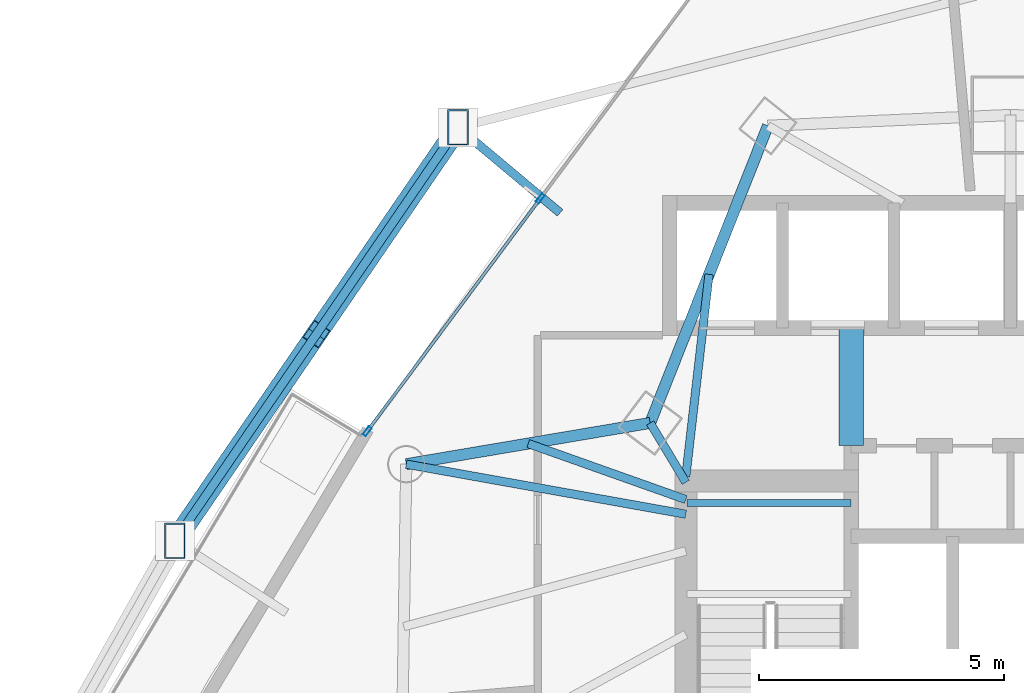
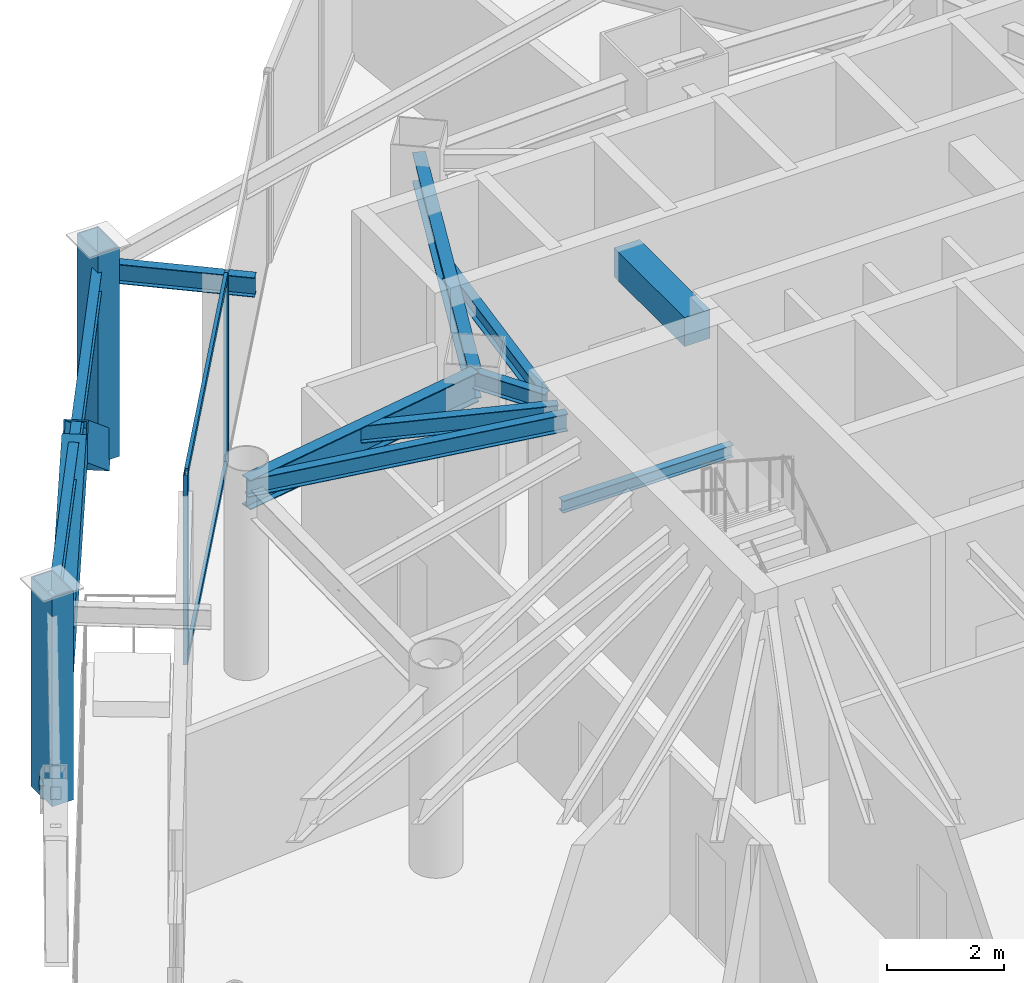
# One storey, part 19 of 33: 10 beams, 8 members, 1 element without a shape of its own.
"""IFC4 building model written with IfcOpenShell, lengths in metres."""

from ifc_helpers import new_model, si_unit, direction, frame, origin, origin_2d, place, context, subcontext, project, spatial, rectangle, hollow_rectangle, i_section, extrude, material, layer, layer_set, material_profile, profile_set, type_object, element, aggregate, save


model = new_model("IFC4")

# Units and contexts
model_context = context("Model", 3, precision=1e-05, world=origin(), true_north=direction((0.0, 1.0)))
body_context = subcontext(model_context, "Body", "Model", "MODEL_VIEW")
ifc_project = project(units=[si_unit("LENGTHUNIT", "METRE"), si_unit("AREAUNIT", "SQUARE_METRE"), si_unit("VOLUMEUNIT", "CUBIC_METRE"), si_unit("PLANEANGLEUNIT", "RADIAN"), si_unit("MASSUNIT", "GRAM", prefix="KILO")], contexts=[model_context])

# Site, building, storey
site_placement = place(None, origin())
site = spatial("IfcSite", under=ifc_project, at=site_placement, CompositionType="ELEMENT")
building_placement = place(site_placement, origin())
building = spatial("IfcBuilding", under=site, at=building_placement, Name="Orvanel Arch Residences", CompositionType="ELEMENT")
storey_placement = place(building_placement, frame((0.0, 0.0, 97.25)))
storey = spatial("IfcBuildingStorey", under=building, at=storey_placement, Name="L27", CompositionType="ELEMENT", Elevation=97.25)

# Beams
ifc_material_1 = material(Name="Structural steel AS/NZS 3679.1 Grade 300 (300 MPa)", Category="steel")
ifc_material_profile_1 = material_profile(ifc_material_1, i_section(OverallWidth=0.14599609375, OverallDepth=0.251953125, WebThickness=0.006103515625, FlangeThickness=0.008544921875, at=origin_2d()), Name="250UB31.4")
ifc_profile_set_1 = profile_set([ifc_material_profile_1], Name="Structural steel AS/NZS 3679.1 Grade 300 (300 MPa)")
beam_type_1 = type_object("IfcBeamType", Name="BJ-250UB", PredefinedType="JOIST", material=ifc_profile_set_1)
beam_1_placement = place(storey_placement, frame((26.39990234375, 33.47998046875, 1.84912109375), z_axis=(1.0, 0.0, 0.0), x_axis=(0.0, 1.0, 0.0)))
element("IfcBeam", 1, at=beam_1_placement, inside=storey, type_object=beam_type_1, Name="L27 ST-1 Half-Landing Support Beam 1.2", PredefinedType="JOIST", context=body_context, shape_type="SweptSolid", body=[
    extrude(i_section(OverallWidth=0.14599609375, OverallDepth=0.251953125, WebThickness=0.006103515625, FlangeThickness=0.008544921875, at=origin_2d()), origin(), (0.0, 0.0, 1.0), 3.35009765625),
])
ifc_material_profile_2 = material_profile(ifc_material_1, i_section(OverallWidth=0.1708984375, OverallDepth=0.35595703125, WebThickness=0.00732421875, FlangeThickness=0.011474609375, at=origin_2d()), Name="360UB50.7")
ifc_profile_set_2 = profile_set([ifc_material_profile_2], Name="Structural steel AS/NZS 3679.1 Grade 300 (300 MPa)")
beam_type_2 = type_object("IfcBeamType", Name="BJ-360UB", PredefinedType="JOIST", material=ifc_profile_set_2)
beam_2_placement = place(storey_placement, frame((26.375, 33.89990234375, 3.77197265625), z_axis=(-0.514064138778, 0.857751748015, 0.0), x_axis=(-0.857751748015, -0.514064138778, 0.0)))
element("IfcBeam", 2, at=beam_2_placement, inside=storey, type_object=beam_type_2, Name="L27 NNW Wing Floor Joist", PredefinedType="JOIST", context=body_context, shape_type="SweptSolid", body=[
    extrude(i_section(OverallWidth=0.1708984375, OverallDepth=0.35595703125, WebThickness=0.00732421875, FlangeThickness=0.011474609375, at=origin_2d()), origin(), (0.0, 0.0, 1.0), 1.414306640625),
])
beam_3_placement = place(storey_placement, frame((26.375, 34.02001953125, 3.77197265625), z_axis=(0.114186670431, 0.993459311847, 0.0), x_axis=(-0.993459311847, 0.114186670431, 0.0)))
element("IfcBeam", 3, at=beam_3_placement, inside=storey, type_object=beam_type_2, Name="L27 NNW2 Wing Floor Joist", PredefinedType="JOIST", context=body_context, shape_type="SweptSolid", body=[
    extrude(i_section(OverallWidth=0.1708984375, OverallDepth=0.35595703125, WebThickness=0.00732421875, FlangeThickness=0.011474609375, at=origin_2d()), origin(), (0.0, 0.0, 1.0), 4.152099609375),
])
beam_4_placement = place(storey_placement, frame((26.375, 33.25, 3.77197265625), z_axis=(-0.984360855662, 0.176163860766, 0.0), x_axis=(-0.176163860766, -0.984360855662, 0.0)))
element("IfcBeam", 4, at=beam_4_placement, inside=storey, type_object=beam_type_2, Name="L27 LW Wing Floor Joist", PredefinedType="JOIST", context=body_context, shape_type="SweptSolid", body=[
    extrude(i_section(OverallWidth=0.1708984375, OverallDepth=0.35595703125, WebThickness=0.00732421875, FlangeThickness=0.011474609375, at=origin_2d()), origin(), (0.0, 0.0, 1.0), 5.795654296875),
])
beam_5_placement = place(storey_placement, frame((26.375, 33.550048828125, 3.77197265625), z_axis=(-0.942366638377, 0.334582006201, 0.0), x_axis=(-0.334582006201, -0.942366638377, 0.0)))
element("IfcBeam", 5, at=beam_5_placement, inside=storey, type_object=beam_type_2, Name="L27 JADD3 Wing Floor Joist", PredefinedType="JOIST", context=body_context, shape_type="SweptSolid", body=[
    extrude(i_section(OverallWidth=0.1708984375, OverallDepth=0.35595703125, WebThickness=0.00732421875, FlangeThickness=0.011474609375, at=origin_2d()), origin(), (0.0, 0.0, 1.0), 3.412841796875),
])

# Members
ifc_material_2 = material(Name="Structural steel AS/NZS 3678 Grade 350", Category="steel")
ifc_material_profile_3 = material_profile(ifc_material_2, hollow_rectangle(XDim=0.419921875, YDim=0.719970703125, WallThickness=0.02490234375, at=origin_2d()), Name="RHS720x420x25")
ifc_profile_set_3 = profile_set([ifc_material_profile_3], Name="Structural steel AS/NZS 3678 Grade 350")
member_type_1 = type_object("IfcMemberType", Name="BR-720RHS-EXT", PredefinedType="BRACE", material=ifc_profile_set_3)
member_1_placement = place(storey_placement, frame((21.72607421875, 41.14501953125, 0.0), z_axis=(-0.455748317639, -0.665521943309, 0.591078686761), x_axis=(0.825081172157, -0.565014211637, 0.0)))
element("IfcMember", 6, at=member_1_placement, inside=storey, type_object=member_type_1, Name="L27 Exterior Sky-Garden V-Frame Chevron F1B1.1", PredefinedType="BRACE", context=body_context, shape_type="SweptSolid", body=[
    extrude(hollow_rectangle(XDim=0.419921875, YDim=0.719970703125, WallThickness=0.02490234375, at=origin_2d()), origin(), (0.0, 0.0, 1.0), 6.33935546875),
])
member_2_placement = place(storey_placement, frame((15.948974609375, 32.70703125, 0.0), z_axis=(0.455595734426, 0.665580343783, 0.591130554736), x_axis=(-0.825192460574, 0.56485166461, 0.0)))
element("IfcMember", 7, at=member_2_placement, inside=storey, type_object=member_type_1, Name="L27 Exterior Sky-Garden V-Frame Chevron F1B1.2", PredefinedType="BRACE", context=body_context, shape_type="SweptSolid", body=[
    extrude(hollow_rectangle(XDim=0.419921875, YDim=0.719970703125, WallThickness=0.02490234375, at=origin_2d()), origin(), (0.0, 0.0, 1.0), 6.3388671875),
])

# Beam
ifc_material_3 = material(Name="Concrete S65 (65 MPa)", Category="concrete")
ifc_material_profile_4 = material_profile(ifc_material_3, rectangle(XDim=0.5, YDim=0.60009765625, at=origin_2d()), Name="RC500x600")
ifc_profile_set_4 = profile_set([ifc_material_profile_4], Name="Concrete S65 (65 MPa)")
beam_type_3 = type_object("IfcBeamType", Name="CB-500x600", PredefinedType="LINTEL", material=ifc_profile_set_4)
beam_6_placement = place(storey_placement, frame((29.75, 34.64990234375, 3.64990234375), z_axis=(0.0, 1.0, 0.0), x_axis=(-1.0, 0.0, 0.0)))
element("IfcBeam", 8, at=beam_6_placement, inside=storey, type_object=beam_type_3, Name="L27 West Core Lobby Coupling Lintel Beam", PredefinedType="LINTEL", context=body_context, shape_type="SweptSolid", body=[
    extrude(rectangle(XDim=0.5, YDim=0.60009765625, at=origin_2d()), origin(), (0.0, 0.0, 1.0), 2.400146484375),
])

# Members
ifc_material_profile_5 = material_profile(ifc_material_2, hollow_rectangle(XDim=0.419921875, YDim=0.719970703125, WallThickness=0.02490234375, at=origin_2d()), Name="RHS720x420x25")
ifc_profile_set_5 = profile_set([ifc_material_profile_5], Name="Structural steel AS/NZS 3678 Grade 350")
member_type_2 = type_object("IfcMemberType", Name="CH-720RHS-EXT", PredefinedType="CHORD", material=ifc_profile_set_5)
for number, where, z_axis, x_axis, name in (
    (9, (21.72607421875, 41.14501953125, 0.0), (0.0, 0.0, 1.0), (1.0, 0.0, 0.0), "L27 Outer Perimeter Frame Post 01"),
    (10, (15.948974609375, 32.70703125, 0.0), (0.0, 0.0, 1.0), (1.0, 0.0, 0.0), "L27 Outer Perimeter Frame Post 02"),
):
    element("IfcMember", number, at=place(storey_placement, frame(where, z_axis=z_axis, x_axis=x_axis)), inside=storey, type_object=member_type_2, Name=name, PredefinedType="CHORD", context=body_context, shape_type="SweptSolid", body=[
        extrude(hollow_rectangle(XDim=0.419921875, YDim=0.719970703125, WallThickness=0.02490234375, at=origin_2d()), origin(), (0.0, 0.0, 1.0), 4.35009765625),
    ])

# Curtain wall, members
ifc_material_4 = material(Name="Bronze-anodised aluminium AA6063-T6", Category="aluminium")
ifc_layer = layer(ifc_material_4, 0.195068359375)
ifc_layer_set = layer_set([ifc_layer], Name="Bronze-anodised aluminium AA6063-T6")
curtain_wall_type = type_object("IfcCurtainWallType", Name="CW6-COM-SYS", PredefinedType="NOTDEFINED", material=ifc_layer_set)
curtain_wall_placement = place(storey_placement, origin())
curtain_wall = element("IfcCurtainWall", 11, at=curtain_wall_placement, inside=storey, type_object=curtain_wall_type, Name="L27 CW6-COM-SYS Unitised Curtain Wall", PredefinedType="NOTDEFINED")
ifc_material_profile_6 = material_profile(ifc_material_4, hollow_rectangle(XDim=0.074951171875, YDim=0.199951171875, WallThickness=0.0048828125, at=origin_2d()), Name="ALU200x75x5")
ifc_profile_set_6 = profile_set([ifc_material_profile_6], Name="Bronze-anodised aluminium AA6063-T6")
member_type_3 = type_object("IfcMemberType", Name="MUL-200x75", PredefinedType="MULLION", material=ifc_profile_set_6)
member_3_placement = place(storey_placement, frame((23.404541015625, 39.69189453125, 0.0), z_axis=(0.0, 0.0, 1.0), x_axis=(0.802490155261, -0.596665359065, 0.0)))
member_3 = element("IfcMember", 12, at=member_3_placement, type_object=member_type_3, Name="CW-S6 mullion 2", PredefinedType="MULLION", context=body_context, shape_type="SweptSolid", body=[
    extrude(hollow_rectangle(XDim=0.074951171875, YDim=0.199951171875, WallThickness=0.0048828125, at=origin_2d()), origin(), (0.0, 0.0, 1.0), 3.949951171875),
])
member_4_placement = place(storey_placement, frame((19.871337890625, 34.940185546875, 0.0), z_axis=(0.0, 0.0, 1.0), x_axis=(0.802490155261, -0.596665359065, 0.0)))
member_4 = element("IfcMember", 13, at=member_4_placement, type_object=member_type_3, Name="CW-S6 mullion 3", PredefinedType="MULLION", context=body_context, shape_type="SweptSolid", body=[
    extrude(hollow_rectangle(XDim=0.074951171875, YDim=0.199951171875, WallThickness=0.0048828125, at=origin_2d()), origin(), (0.0, 0.0, 1.0), 3.949951171875),
])

# Beams
ifc_material_profile_7 = material_profile(ifc_material_1, i_section(OverallWidth=0.177978515625, OverallDepth=0.406005859375, WebThickness=0.0078125, FlangeThickness=0.0126953125, at=origin_2d()), Name="410UB59.7")
ifc_profile_set_7 = profile_set([ifc_material_profile_7], Name="Structural steel AS/NZS 3679.1 Grade 300 (300 MPa)")
beam_type_4 = type_object("IfcBeamType", Name="OB-410UB-EXT", PredefinedType="SPANDREL", material=ifc_profile_set_7)
beam_7_placement = place(storey_placement, frame((23.80908203125, 39.40087890625, 3.7470703125), z_axis=(-0.766716525589, 0.641985801548, 0.0), x_axis=(-0.641985801548, -0.766716525589, 0.0)))
element("IfcBeam", 14, at=beam_7_placement, inside=storey, type_object=beam_type_4, Name="L27 Outer Frame Radial Tie Beam 01", PredefinedType="SPANDREL", context=body_context, shape_type="SweptSolid", body=[
    extrude(i_section(OverallWidth=0.177978515625, OverallDepth=0.406005859375, WebThickness=0.0078125, FlangeThickness=0.0126953125, at=origin_2d()), origin(), (0.0, 0.0, 1.0), 2.716796875),
])
beam_8_placement = place(storey_placement, frame((21.72607421875, 41.14501953125, 3.7470703125), z_axis=(-0.564932946345, -0.825136816615, 0.0), x_axis=(0.825136816615, -0.564932946345, 0.0)))
element("IfcBeam", 15, at=beam_8_placement, inside=storey, type_object=beam_type_4, Name="L27 Outer Perimeter Floor Ring Beam 01", PredefinedType="SPANDREL", context=body_context, shape_type="SweptSolid", body=[
    extrude(i_section(OverallWidth=0.177978515625, OverallDepth=0.406005859375, WebThickness=0.0078125, FlangeThickness=0.0126953125, at=origin_2d()), origin(), (0.0, 0.0, 1.0), 10.22607421875),
])
ifc_material_profile_8 = material_profile(ifc_material_1, i_section(OverallWidth=0.22900390625, OverallDepth=0.612060546875, WebThickness=0.011962890625, FlangeThickness=0.01953125, at=origin_2d()), Name="610UB125")
ifc_profile_set_8 = profile_set([ifc_material_profile_8], Name="Structural steel AS/NZS 3679.1 Grade 300 (300 MPa)")
beam_type_5 = type_object("IfcBeamType", Name="SP-610UB", PredefinedType="SPANDREL", material=ifc_profile_set_8)
beam_9_placement = place(storey_placement, frame((28.050048828125, 41.177978515625, 3.64404296875), z_axis=(-0.368233143579, -0.929733484376, 0.0), x_axis=(0.929733484376, -0.368233143579, 0.0)))
element("IfcBeam", 16, at=beam_9_placement, inside=storey, type_object=beam_type_5, Name="L27 Perimeter Spandrel Beam 18", PredefinedType="SPANDREL", context=body_context, shape_type="SweptSolid", body=[
    extrude(i_section(OverallWidth=0.22900390625, OverallDepth=0.612060546875, WebThickness=0.011962890625, FlangeThickness=0.01953125, at=origin_2d()), origin(), (0.0, 0.0, 1.0), 6.523193359375),
])
beam_10_placement = place(storey_placement, frame((25.64794921875, 35.113037109375, 3.64404296875), z_axis=(-0.985993733897, -0.166782363326, 0.0), x_axis=(0.166782363326, -0.985993733897, 0.0)))
element("IfcBeam", 17, at=beam_10_placement, inside=storey, type_object=beam_type_5, Name="L27 Perimeter Spandrel Beam 19", PredefinedType="SPANDREL", context=body_context, shape_type="SweptSolid", body=[
    extrude(i_section(OverallWidth=0.22900390625, OverallDepth=0.612060546875, WebThickness=0.011962890625, FlangeThickness=0.01953125, at=origin_2d()), origin(), (0.0, 0.0, 1.0), 5.048828125),
])

# Member
ifc_material_profile_9 = material_profile(ifc_material_4, hollow_rectangle(XDim=0.06494140625, YDim=0.14990234375, WallThickness=0.00390625, at=origin_2d()), Name="ALU150x65x4")
ifc_profile_set_9 = profile_set([ifc_material_profile_9], Name="Bronze-anodised aluminium AA6063-T6")
member_type_4 = type_object("IfcMemberType", Name="TRN-150x65", PredefinedType="USERDEFINED", material=ifc_profile_set_9)
member_5_placement = place(storey_placement, frame((23.382080078125, 39.661865234375, 0.032470703125), z_axis=(-0.596660705401, -0.80249361532, 0.0), x_axis=(0.80249361532, -0.596660705401, 0.0)))
member_5 = element("IfcMember", 18, at=member_5_placement, type_object=member_type_4, Name="CW-S6 transom 2.1", ObjectType="TRANSOM", PredefinedType="USERDEFINED", context=body_context, shape_type="SweptSolid", body=[
    extrude(hollow_rectangle(XDim=0.06494140625, YDim=0.14990234375, WallThickness=0.00390625, at=origin_2d()), origin(), (0.0, 0.0, 1.0), 5.846435546875),
])

member_6_placement = place(storey_placement, frame((23.382080078125, 39.661865234375, 3.91748046875), z_axis=(-0.596660705401, -0.80249361532, 0.0), x_axis=(0.80249361532, -0.596660705401, 0.0)))
member_6 = element("IfcMember", 19, at=member_6_placement, type_object=member_type_4, Name="CW-S6 transom 2.2", ObjectType="TRANSOM", PredefinedType="USERDEFINED", context=body_context, shape_type="SweptSolid", body=[
    extrude(hollow_rectangle(XDim=0.06494140625, YDim=0.14990234375, WallThickness=0.00390625, at=origin_2d()), origin(), (0.0, 0.0, 1.0), 5.846435546875),
])

aggregate(curtain_wall, [member_3, member_4, member_5, member_6])

save(model, "model.ifc")
